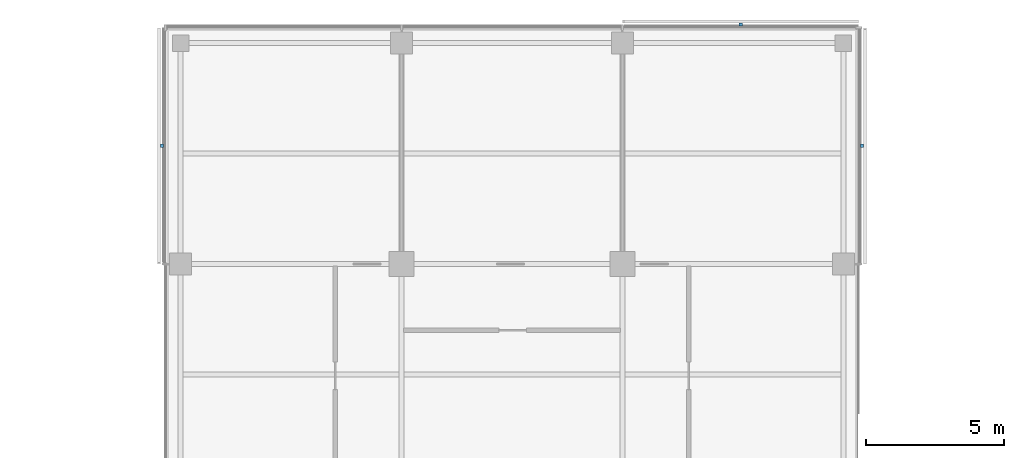
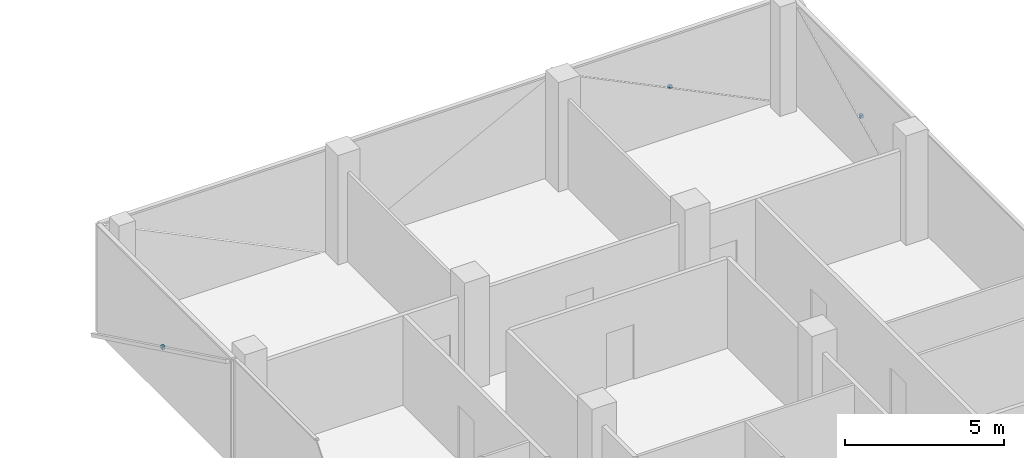
# One storey, part 17 of 18: 3 discrete accessories.
"""IFC4 building model written with IfcOpenShell, lengths in metres."""

from ifc_helpers import new_model, si_unit, direction, frame, origin, origin_2d, place, context, subcontext, project, spatial, rectangle, extrude, material, type_object, element, save


model = new_model("IFC4")

# Units and contexts
model_context = context("Model", 3, precision=1e-05, world=origin(), true_north=direction((0.0, 1.0)))
body_context = subcontext(model_context, "Body", "Model", "MODEL_VIEW")
ifc_project = project(units=[si_unit("LENGTHUNIT", "METRE"), si_unit("AREAUNIT", "SQUARE_METRE"), si_unit("VOLUMEUNIT", "CUBIC_METRE"), si_unit("PLANEANGLEUNIT", "RADIAN"), si_unit("MASSUNIT", "GRAM", prefix="KILO")], contexts=[model_context])

# Site, building, storey
site_placement = place(None, origin())
site = spatial("IfcSite", under=ifc_project, at=site_placement, CompositionType="ELEMENT")
building_placement = place(site_placement, origin())
building = spatial("IfcBuilding", under=site, at=building_placement, Name="Crosswind Convention Tower", CompositionType="ELEMENT")
storey_placement = place(building_placement, frame((0.0, 0.0, 178.89990234375)))
storey = spatial("IfcBuildingStorey", under=building, at=storey_placement, Name="L37", CompositionType="ELEMENT", Elevation=178.89990234375)

# Discrete accessories
ifc_material = material(Name="Stainless steel", Category="steel")
discrete_accessory_type = type_object("IfcDiscreteAccessoryType", Name="BAGUETTE BRACKET BK3", PredefinedType="BRACKET", material=ifc_material)
for number, where, z_axis, x_axis, name in (
    (1, (137.676025390625, 124.280029296875, 1.705078125), (0.0, 0.0, 1.0), (0.0, 1.0, 0.0), "BK3 baguette bracket"),
    (2, (133.280029296875, 128.676025390625, 1.705078125), (0.0, 0.0, 1.0), (-1.0, 0.0, 0.0), "BK3 baguette bracket"),
    (3, (112.323974609375, 124.280029296875, 1.705078125), (0.0, 0.0, 1.0), (0.0, -1.0, 0.0), "BK3 baguette bracket"),
):
    element("IfcDiscreteAccessory", number, at=place(storey_placement, frame(where, z_axis=z_axis, x_axis=x_axis)), inside=storey, type_object=discrete_accessory_type, Name=name, PredefinedType="BRACKET", context=body_context, shape_type="SweptSolid", body=[
        extrude(rectangle(XDim=0.1201171875, YDim=0.10009765625, at=origin_2d()), origin(), (0.0, 0.0, 1.0), 0.1201171875),
    ])

save(model, "model.ifc")
